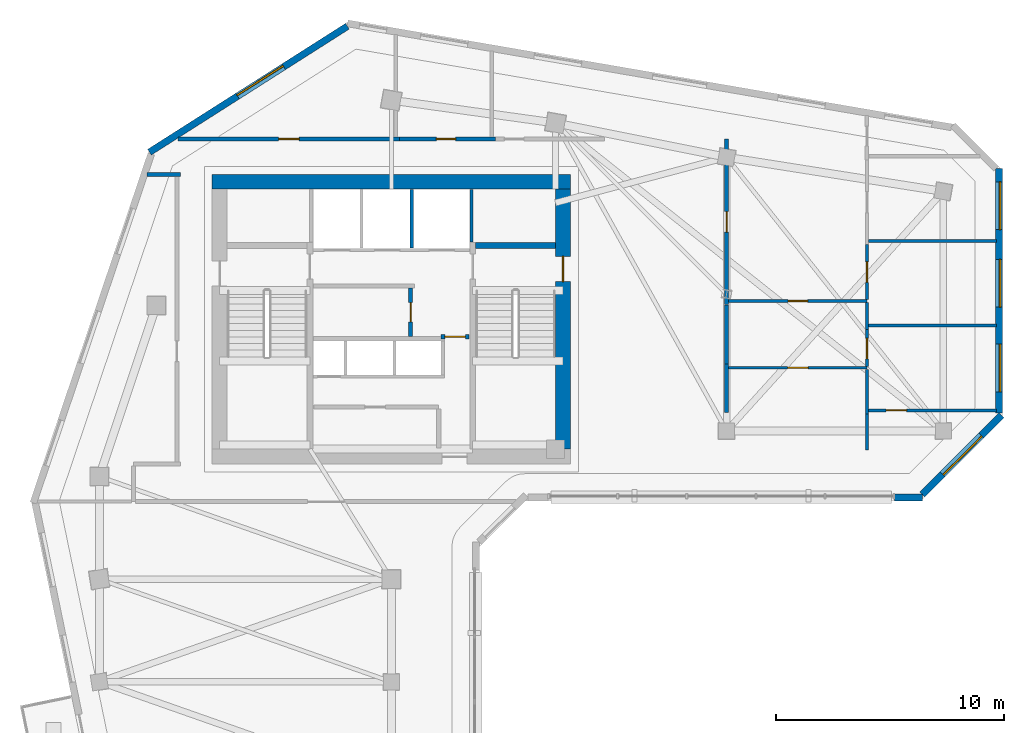
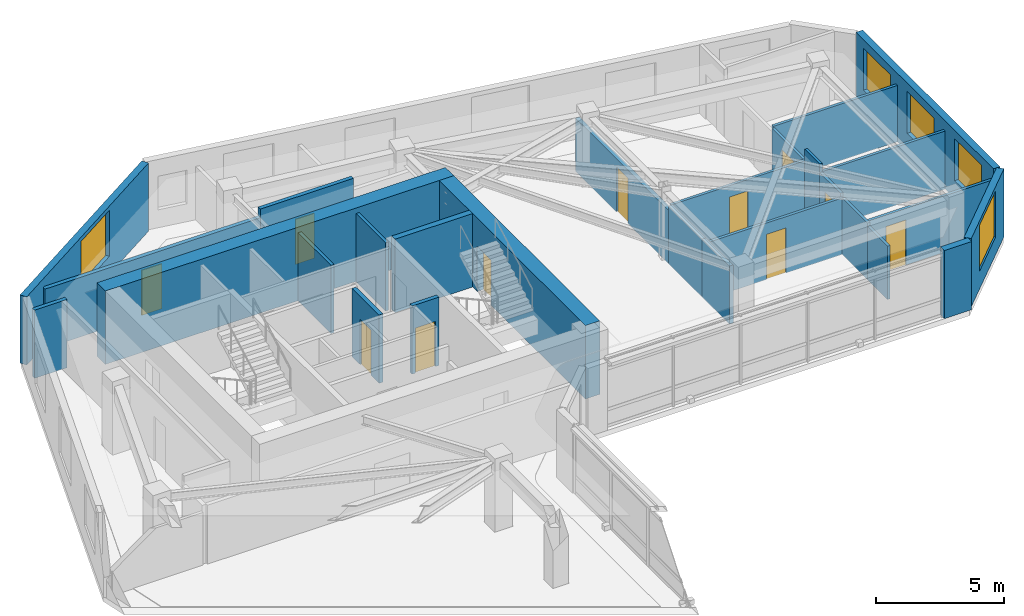
# One storey, part 6 of 10: 27 walls, 11 doors, 5 windows, 16 openings.
"""IFC4 building model written with IfcOpenShell, lengths in metres."""

from ifc_helpers import new_model, si_unit, direction, frame, frame_2d, origin, place, context, subcontext, project, spatial, rectangle, extrude, source, transform, mapped, material, layer, layer_set, type_object, element, fill, save


model = new_model("IFC4")

# Units and contexts
model_context = context("Model", 3, precision=1e-05, world=origin(), true_north=direction((0.0, 1.0)))
body_context = subcontext(model_context, "Body", "Model", "MODEL_VIEW")
ifc_project = project(units=[si_unit("LENGTHUNIT", "METRE"), si_unit("AREAUNIT", "SQUARE_METRE"), si_unit("VOLUMEUNIT", "CUBIC_METRE"), si_unit("PLANEANGLEUNIT", "RADIAN"), si_unit("MASSUNIT", "GRAM", prefix="KILO")], contexts=[model_context])

# Site, building, storey
site_placement = place(None, origin())
site = spatial("IfcSite", under=ifc_project, at=site_placement, CompositionType="ELEMENT")
building_placement = place(site_placement, origin())
building = spatial("IfcBuilding", under=site, at=building_placement, Name="Calvemar Wedge Station Tower", CompositionType="ELEMENT")
storey_placement = place(building_placement, frame((0.0, 0.0, 204.39990234375)))
storey = spatial("IfcBuildingStorey", under=building, at=storey_placement, Name="L51", CompositionType="ELEMENT", Elevation=204.39990234375)

# Walls
ifc_material_1 = material(Name="Concrete C50", Category="concrete")
ifc_layer_1 = layer(ifc_material_1, 0.260009765625)
ifc_layer_set_1 = layer_set([ifc_layer_1], Name="Concrete C50")
wall_type_1 = type_object("IfcWallType", Name="SW-CORE-260", PredefinedType="SHEAR", material=ifc_layer_set_1)
wall_1_placement = place(storey_placement, frame((27.5, 43.1298828125, 0.0), z_axis=(0.0, 0.0, 1.0), x_axis=(1.0, 0.0, 0.0)))
element("IfcWall", 1, at=wall_1_placement, inside=storey, type_object=wall_type_1, Name="Storey L51 Core Shear Wall STC2-N", PredefinedType="SHEAR", context=body_context, shape_type="SweptSolid", body=[
    extrude(rectangle(XDim=3.5, YDim=0.260009765625, at=frame_2d((1.75, 0.0))), origin(), (0.0, 0.0, 1.0), 3.5),
])
ifc_material_2 = material(Name="Concrete C60", Category="concrete")
ifc_layer_2 = layer(ifc_material_2, 0.64990234375)
ifc_layer_set_2 = layer_set([ifc_layer_2], Name="Concrete C60")
wall_type_2 = type_object("IfcWallType", Name="SW-CORE-650", PredefinedType="SHEAR", material=ifc_layer_set_2)
wall_2_placement = place(storey_placement, frame((15.949951171875, 45.925048828125, 0.0), z_axis=(0.0, 0.0, 1.0), x_axis=(1.0, 0.0, 0.0)))
element("IfcWall", 2, at=wall_2_placement, inside=storey, type_object=wall_type_2, Name="Storey L51 Core Shear Wall N", PredefinedType="SHEAR", context=body_context, shape_type="SweptSolid", body=[
    extrude(rectangle(XDim=15.699951171875, YDim=0.64990234375, at=frame_2d((7.85009765625, 0.0))), origin(), (0.0, 0.0, 1.0), 3.5),
])

# Wall, opening, door
wall_3_placement = place(storey_placement, frame((31.324951171875, 34.199951171875, 0.0), z_axis=(0.0, 0.0, 1.0), x_axis=(0.0, 1.0, 0.0)))
wall_3 = element("IfcWall", 3, at=wall_3_placement, inside=storey, type_object=wall_type_2, Name="Storey L51 Core Shear Wall E", PredefinedType="SHEAR", context=body_context, shape_type="SweptSolid", body=[
    extrude(rectangle(XDim=11.400146484375, YDim=0.64990234375, at=frame_2d((5.7001953125, 0.0))), origin(), (0.0, 0.0, 1.0), 3.5),
])
shared_shape_1 = source(origin(), body_context, "Body", "SweptSolid", [
    extrude(rectangle(XDim=1.10009765625, YDim=2.14990234375, at=frame_2d((0.550048828125, 1.074951171875))), frame((0.0, 0.3349609375, 0.0), z_axis=(0.0, -1.0, 0.0), x_axis=(1.0, 0.0, 0.0)), (0.0, 0.0, 1.0), 0.669921875),
])
opening_1_placement = place(wall_3_placement, frame((7.35009765625, 0.0, 0.0)))
opening_1 = element("IfcOpeningElement", 4, at=opening_1_placement, cuts=wall_3, Name="Opening FD-90", PredefinedType="OPENING", context=body_context, shape_type="MappedRepresentation", body=[
    mapped(shared_shape_1, transform((0.0, 0.0, 0.0), scale=1.0)),
])
ifc_material_3 = material(Name="Galvanized fire-rated steel door leaf P-90", Category="steel")
door_type_1 = type_object("IfcDoorType", Name="DR-FD90-1100", OperationType="NOTDEFINED", PredefinedType="DOOR", material=ifc_material_3)
shared_shape_2 = source(origin(), body_context, "Body", "SweptSolid", [
    extrude(rectangle(XDim=1.10009765625, YDim=2.14990234375, at=frame_2d((0.550048828125, 1.074951171875))), frame((0.0, 0.02490234375, 0.0), z_axis=(0.0, -1.0, 0.0), x_axis=(1.0, 0.0, 0.0)), (0.0, 0.0, 1.0), 0.050048828125),
])
door_1_placement = place(opening_1_placement, origin())
door_1 = element("IfcDoor", 5, at=door_1_placement, inside=storey, type_object=door_type_1, Name="L51 East Corridor to Exit Stair ST-C2 Door", OperationType="SINGLE_SWING_LEFT", OverallHeight=2.14990234375, OverallWidth=1.10009765625, PredefinedType="DOOR", context=body_context, shape_type="MappedRepresentation", body=[
    mapped(shared_shape_2, transform((0.0, 0.0, 0.0), scale=1.0)),
])
fill(opening_1, door_1)

ifc_material_4 = material(Name="Double-stud fire-rated corridor partition")
ifc_layer_3 = layer(ifc_material_4, 0.179931640625)
ifc_layer_set_3 = layer_set([ifc_layer_3], Name="Double-stud fire-rated corridor partition")
wall_type_3 = type_object("IfcWallType", Name="W-CORR-180", PredefinedType="PARTITIONING", material=ifc_layer_set_3)
wall_4_placement = place(storey_placement, frame((24.64990234375, 41.256103515625, 0.0), z_axis=(0.0, 0.0, 1.0), x_axis=(0.0, -1.0, 0.0)))
wall_4 = element("IfcWall", 6, at=wall_4_placement, inside=storey, type_object=wall_type_3, Name="Storey L51 Interior Partition WL-L51-002", PredefinedType="PARTITIONING", context=body_context, shape_type="SweptSolid", body=[
    extrude(rectangle(XDim=2.106201171875, YDim=0.179931640625, at=frame_2d((1.05322265625, 0.0))), origin(), (0.0, 0.0, 1.0), 3.25),
])
shared_shape_3 = source(origin(), body_context, "Body", "SweptSolid", [
    extrude(rectangle(XDim=0.85009765625, YDim=2.14990234375, at=frame_2d((0.425048828125, 1.074951171875))), frame((0.0, 0.10009765625, 0.0), z_axis=(0.0, -1.0, 0.0), x_axis=(1.0, 0.0, 0.0)), (0.0, 0.0, 1.0), 0.199951171875),
])
opening_2_placement = place(wall_4_placement, frame((0.6279296875, 0.0, 0.0)))
opening_2 = element("IfcOpeningElement", 7, at=opening_2_placement, cuts=wall_4, Name="Opening FD-60S", PredefinedType="OPENING", context=body_context, shape_type="MappedRepresentation", body=[
    mapped(shared_shape_3, transform((0.0, 0.0, 0.0), scale=1.0)),
])
ifc_material_5 = material(Name="Fire-rated steel and hardwood service door EI 60", Category="steel")
door_type_2 = type_object("IfcDoorType", Name="DR-CORE-FD60-850", OperationType="NOTDEFINED", PredefinedType="DOOR", material=ifc_material_5)
shared_shape_4 = source(origin(), body_context, "Body", "SweptSolid", [
    extrude(rectangle(XDim=0.85009765625, YDim=2.14990234375, at=frame_2d((0.425048828125, 1.074951171875))), frame((0.0, 0.02490234375, 0.0), z_axis=(0.0, -1.0, 0.0), x_axis=(1.0, 0.0, 0.0)), (0.0, 0.0, 1.0), 0.050048828125),
])
door_2_placement = place(opening_2_placement, origin())
door_2 = element("IfcDoor", 8, at=door_2_placement, inside=storey, type_object=door_type_2, Name="L51 Cleaner and Linen Store Door", OperationType="SINGLE_SWING_LEFT", OverallHeight=2.14990234375, OverallWidth=0.85009765625, PredefinedType="DOOR", context=body_context, shape_type="MappedRepresentation", body=[
    mapped(shared_shape_4, transform((0.0, 0.0, 0.0), scale=1.0)),
])
fill(opening_2, door_2)

wall_5_placement = place(storey_placement, frame((27.199951171875, 39.1298828125, 0.0), z_axis=(0.0, 0.0, 1.0), x_axis=(-1.0, 0.0, 0.0)))
wall_5 = element("IfcWall", 9, at=wall_5_placement, inside=storey, type_object=wall_type_3, Name="Storey L51 Interior Partition WL-L51-003", PredefinedType="PARTITIONING", context=body_context, shape_type="SweptSolid", body=[
    extrude(rectangle(XDim=1.2099609375, YDim=0.179931640625, at=frame_2d((0.60498046875, 0.0))), origin(), (0.0, 0.0, 1.0), 3.25),
])
shared_shape_5 = source(origin(), body_context, "Body", "SweptSolid", [
    extrude(rectangle(XDim=0.89990234375, YDim=2.14990234375, at=frame_2d((0.449951171875, 1.074951171875))), frame((0.0, 0.10009765625, 0.0), z_axis=(0.0, -1.0, 0.0), x_axis=(1.0, 0.0, 0.0)), (0.0, 0.0, 1.0), 0.199951171875),
])
opening_3_placement = place(wall_5_placement, frame((0.155029296875, 0.0, 0.0)))
opening_3 = element("IfcOpeningElement", 10, at=opening_3_placement, cuts=wall_5, Name="Opening FD-60", PredefinedType="OPENING", context=body_context, shape_type="MappedRepresentation", body=[
    mapped(shared_shape_5, transform((0.0, 0.0, 0.0), scale=1.0)),
])
ifc_material_6 = material(Name="Fire-rated acoustic timber-core entrance door EI 60", Category="wood")
door_type_3 = type_object("IfcDoorType", Name="DR-FD60-900", OperationType="NOTDEFINED", PredefinedType="DOOR", material=ifc_material_6)
shared_shape_6 = source(origin(), body_context, "Body", "SweptSolid", [
    extrude(rectangle(XDim=0.89990234375, YDim=2.14990234375, at=frame_2d((0.449951171875, 1.074951171875))), frame((0.0, 0.02490234375, 0.0), z_axis=(0.0, -1.0, 0.0), x_axis=(1.0, 0.0, 0.0)), (0.0, 0.0, 1.0), 0.050048828125),
])
door_3_placement = place(opening_3_placement, origin())
door_3 = element("IfcDoor", 11, at=door_3_placement, inside=storey, type_object=door_type_3, Name="L51 Core Service Lobby Door", OperationType="SINGLE_SWING_RIGHT", OverallHeight=2.14990234375, OverallWidth=0.89990234375, PredefinedType="DOOR", context=body_context, shape_type="MappedRepresentation", body=[
    mapped(shared_shape_6, transform((0.0, 0.0, 0.0), scale=1.0)),
])
fill(opening_3, door_3)

# Wall
wall_6_placement = place(storey_placement, frame((14.56005859375, 46.25, 0.0), z_axis=(0.0, 0.0, 1.0), x_axis=(-1.0, 0.0, 0.0)))
element("IfcWall", 12, at=wall_6_placement, inside=storey, type_object=wall_type_3, Name="Storey L51 Interior Partition WL-L51-010", PredefinedType="PARTITIONING", context=body_context, shape_type="SweptSolid", body=[
    extrude(rectangle(XDim=1.46875, YDim=0.179931640625, at=frame_2d((0.734375, 0.0))), origin(), (0.0, 0.0, 1.0), 3.25),
])

# Wall, opening, door
wall_7_placement = place(storey_placement, frame((14.45263671875, 47.800048828125, 0.0), z_axis=(0.0, 0.0, 1.0), x_axis=(1.0, 0.0, 0.0)))
wall_7 = element("IfcWall", 13, at=wall_7_placement, inside=storey, type_object=wall_type_3, Name="Storey L51 Interior Partition WL-L51-011", PredefinedType="PARTITIONING", context=body_context, shape_type="SweptSolid", body=[
    extrude(rectangle(XDim=9.707275390625, YDim=0.179931640625, at=frame_2d((4.853515625, 0.0))), origin(), (0.0, 0.0, 1.0), 2.835205078125),
])
opening_4_placement = place(wall_7_placement, frame((4.40380859375, 0.0, 0.0)))
opening_4 = element("IfcOpeningElement", 14, at=opening_4_placement, cuts=wall_7, Name="Opening D-01", PredefinedType="OPENING", context=body_context, shape_type="MappedRepresentation", body=[
    mapped(shared_shape_5, transform((0.0, 0.0, 0.0), scale=1.0)),
])
ifc_material_7 = material(Name="Architectural hardwood acoustic swing door", Category="wood")
door_type_4 = type_object("IfcDoorType", Name="DR-INT-900", OperationType="NOTDEFINED", PredefinedType="DOOR", material=ifc_material_7)
shared_shape_7 = source(origin(), body_context, "Body", "SweptSolid", [
    extrude(rectangle(XDim=0.89990234375, YDim=2.14990234375, at=frame_2d((0.449951171875, 1.074951171875))), frame((0.0, 0.02490234375, 0.0), z_axis=(0.0, -1.0, 0.0), x_axis=(1.0, 0.0, 0.0)), (0.0, 0.0, 1.0), 0.050048828125),
])
door_4_placement = place(opening_4_placement, origin())
door_4 = element("IfcDoor", 15, at=door_4_placement, inside=storey, type_object=door_type_4, Name="L51 Fitness Studio Door", OperationType="SINGLE_SWING_LEFT", OverallHeight=2.14990234375, OverallWidth=0.89990234375, PredefinedType="DOOR", context=body_context, shape_type="MappedRepresentation", body=[
    mapped(shared_shape_7, transform((0.0, 0.0, 0.0), scale=1.0)),
])
fill(opening_4, door_4)

wall_8_placement = place(storey_placement, frame((24.162109375, 47.800048828125, 0.0), z_axis=(0.0, 0.0, 1.0), x_axis=(1.0, 0.0, 0.0)))
wall_8 = element("IfcWall", 16, at=wall_8_placement, inside=storey, type_object=wall_type_3, Name="Storey L51 Interior Partition WL-L51-012", PredefinedType="PARTITIONING", context=body_context, shape_type="SweptSolid", body=[
    extrude(rectangle(XDim=4.197998046875, YDim=0.179931640625, at=frame_2d((2.09912109375, 0.0))), origin(), (0.0, 0.0, 1.0), 3.25),
])
opening_5_placement = place(wall_8_placement, frame((1.61328125, 0.0, 0.0)))
opening_5 = element("IfcOpeningElement", 17, at=opening_5_placement, cuts=wall_8, Name="Opening D-02", PredefinedType="OPENING", context=body_context, shape_type="MappedRepresentation", body=[
    mapped(shared_shape_3, transform((0.0, 0.0, 0.0), scale=1.0)),
])
ifc_material_8 = material(Name="Moisture-sealed bathroom hardwood swing door", Category="wood")
door_type_5 = type_object("IfcDoorType", Name="DR-WET-850", OperationType="NOTDEFINED", PredefinedType="DOOR", material=ifc_material_8)
shared_shape_8 = source(origin(), body_context, "Body", "SweptSolid", [
    extrude(rectangle(XDim=0.85009765625, YDim=2.14990234375, at=frame_2d((0.425048828125, 1.074951171875))), frame((0.0, 0.02490234375, 0.0), z_axis=(0.0, -1.0, 0.0), x_axis=(1.0, 0.0, 0.0)), (0.0, 0.0, 1.0), 0.050048828125),
])
door_5_placement = place(opening_5_placement, origin())
door_5 = element("IfcDoor", 18, at=door_5_placement, inside=storey, type_object=door_type_5, Name="L51 Accessible WC Door", OperationType="SINGLE_SWING_RIGHT", OverallHeight=2.14990234375, OverallWidth=0.85009765625, PredefinedType="DOOR", context=body_context, shape_type="MappedRepresentation", body=[
    mapped(shared_shape_8, transform((0.0, 0.0, 0.0), scale=1.0)),
])
fill(opening_5, door_5)

# Wall
wall_9_placement = place(storey_placement, frame((38.5, 37.927978515625, 0.0), z_axis=(0.0, 0.0, 1.0), x_axis=(0.0, -1.0, 0.0)))
element("IfcWall", 19, at=wall_9_placement, inside=storey, type_object=wall_type_3, Name="Storey L51 Interior Partition WL-L51-017", PredefinedType="PARTITIONING", context=body_context, shape_type="SweptSolid", body=[
    extrude(rectangle(XDim=2.1279296875, YDim=0.179931640625, at=frame_2d((1.06396484375, 0.0))), origin(), (0.0, 0.0, 1.0), 2.76611328125),
])

# Wall, opening, door
wall_10_placement = place(storey_placement, frame((38.5, 47.800048828125, 0.0), z_axis=(0.0, 0.0, 1.0), x_axis=(0.0, -1.0, 0.0)))
wall_10 = element("IfcWall", 20, at=wall_10_placement, inside=storey, type_object=wall_type_3, Name="Storey L51 Interior Partition WL-L51-018", PredefinedType="PARTITIONING", context=body_context, shape_type="SweptSolid", body=[
    extrude(rectangle(XDim=7.26708984375, YDim=0.179931640625, at=frame_2d((3.633544921875, 0.0))), origin(), (0.0, 0.0, 1.0), 2.5419921875),
])
opening_6_placement = place(wall_10_placement, frame((3.18359375, 0.0, 0.0)))
opening_6 = element("IfcOpeningElement", 21, at=opening_6_placement, cuts=wall_10, Name="Opening FD-60", PredefinedType="OPENING", context=body_context, shape_type="MappedRepresentation", body=[
    mapped(shared_shape_5, transform((0.0, 0.0, 0.0), scale=1.0)),
])
door_6_placement = place(opening_6_placement, origin())
door_6 = element("IfcDoor", 22, at=door_6_placement, inside=storey, type_object=door_type_3, Name="L51 Living Dining Door", OperationType="SINGLE_SWING_LEFT", OverallHeight=2.14990234375, OverallWidth=0.89990234375, PredefinedType="DOOR", context=body_context, shape_type="MappedRepresentation", body=[
    mapped(shared_shape_6, transform((0.0, 0.0, 0.0), scale=1.0)),
])
fill(opening_6, door_6)

# Walls
wall_11_placement = place(storey_placement, frame((38.5, 40.531005859375, 0.0), z_axis=(0.0, 0.0, 1.0), x_axis=(0.0, -1.0, 0.0)))
element("IfcWall", 23, at=wall_11_placement, inside=storey, type_object=wall_type_3, Name="Storey L51 Interior Partition WL-L51-019", PredefinedType="PARTITIONING", context=body_context, shape_type="SweptSolid", body=[
    extrude(rectangle(XDim=2.60107421875, YDim=0.179931640625, at=frame_2d((1.300537109375, 0.0))), origin(), (0.0, 0.0, 1.0), 2.76611328125),
])
ifc_material_9 = material(Name="Precast concrete C45", Category="concrete")
ifc_layer_4 = layer(ifc_material_9, 0.300048828125)
ifc_layer_set_4 = layer_set([ifc_layer_4], Name="Precast concrete C45")
wall_type_4 = type_object("IfcWallType", Name="W-EXT-GFRC-300", PredefinedType="SOLIDWALL", material=ifc_layer_set_4)
wall_12_placement = place(storey_placement, frame((45.8603515625, 32.073974609375, 0.0), z_axis=(0.0, 0.0, 1.0), x_axis=(1.0, 0.0, 0.0)))
element("IfcWall", 24, at=wall_12_placement, inside=storey, type_object=wall_type_4, Name="Storey L51 Bronze GFRC Corner Pier 6B", PredefinedType="SOLIDWALL", context=body_context, shape_type="SweptSolid", body=[
    extrude(rectangle(XDim=1.2275390625, YDim=0.300048828125, at=frame_2d((0.61376953125, 0.0))), origin(), (0.0, 0.0, 1.0), 3.25),
])

# Wall, opening, window
wall_13_placement = place(storey_placement, frame((47.075927734375, 32.2119140625, 0.0), z_axis=(0.0, 0.0, 1.0), x_axis=(0.707106781187, 0.707106781187, 0.0)))
wall_13 = element("IfcWall", 25, at=wall_13_placement, inside=storey, type_object=wall_type_4, Name="Storey L51 Bronze GFRC Exterior Wall 7", PredefinedType="SOLIDWALL", context=body_context, shape_type="SweptSolid", body=[
    extrude(rectangle(XDim=4.921875, YDim=0.300048828125, at=frame_2d((2.4609375, 0.0))), origin(), (0.0, 0.0, 1.0), 3.25),
])
shared_shape_9 = source(origin(), body_context, "Body", "SweptSolid", [
    extrude(rectangle(XDim=2.39990234375, YDim=2.199951171875, at=frame_2d((1.199951171875, 1.10009765625))), frame((0.0, 0.16015625, 0.0), z_axis=(0.0, -1.0, 0.0), x_axis=(1.0, 0.0, 0.0)), (0.0, 0.0, 1.0), 0.320068359375),
])
opening_7_placement = place(wall_13_placement, frame((1.260986328125, 0.0, 0.85009765625)))
opening_7 = element("IfcOpeningElement", 26, at=opening_7_placement, cuts=wall_13, Name="Opening W1", PredefinedType="OPENING", context=body_context, shape_type="MappedRepresentation", body=[
    mapped(shared_shape_9, transform((0.0, 0.0, 0.0), scale=1.0)),
])
ifc_material_10 = material(Name="Low-E laminated insulated glass", Category="glass")
window_type_1 = type_object("IfcWindowType", Name="WIN-EXT-1", PartitioningType="SINGLE_PANEL", PredefinedType="WINDOW", material=ifc_material_10)
shared_shape_10 = source(origin(), body_context, "Body", "SweptSolid", [
    extrude(rectangle(XDim=2.39990234375, YDim=2.199951171875, at=frame_2d((1.199951171875, 1.10009765625))), frame((0.0, -0.014892578125, 0.0), z_axis=(0.0, -1.0, 0.0), x_axis=(1.0, 0.0, 0.0)), (0.0, 0.0, 1.0), 0.06005859375),
])
window_1_placement = place(opening_7_placement, origin())
window_1 = element("IfcWindow", 27, at=window_1_placement, inside=storey, type_object=window_type_1, Name="Storey L51 Recessed Window 7.1", OverallHeight=2.199951171875, OverallWidth=2.39990234375, PartitioningType="SINGLE_PANEL", PredefinedType="WINDOW", context=body_context, shape_type="MappedRepresentation", body=[
    mapped(shared_shape_10, transform((0.0, 0.0, 0.0), scale=1.0)),
])
fill(opening_7, window_1)

# Wall, openings, windows
wall_14_placement = place(storey_placement, frame((50.449951171875, 35.78125, 0.0), z_axis=(0.0, 0.0, 1.0), x_axis=(0.0, 1.0, 0.0)))
wall_14 = element("IfcWall", 28, at=wall_14_placement, inside=storey, type_object=wall_type_4, Name="Storey L51 Bronze GFRC Exterior Wall 8", PredefinedType="SOLIDWALL", context=body_context, shape_type="SweptSolid", body=[
    extrude(rectangle(XDim=10.730712890625, YDim=0.300048828125, at=frame_2d((5.365234375, 0.0))), origin(), (0.0, 0.0, 1.0), 3.25),
])
shared_shape_11 = source(origin(), body_context, "Body", "SweptSolid", [
    extrude(rectangle(XDim=2.10009765625, YDim=2.0, at=frame_2d((1.050048828125, 1.0))), frame((0.0, 0.16015625, 0.0), z_axis=(0.0, -1.0, 0.0), x_axis=(1.0, 0.0, 0.0)), (0.0, 0.0, 1.0), 0.320068359375),
])
opening_8_placement = place(wall_14_placement, frame((0.927978515625, 0.0, 0.85009765625)))
opening_8 = element("IfcOpeningElement", 29, at=opening_8_placement, cuts=wall_14, Name="Opening W4", PredefinedType="OPENING", context=body_context, shape_type="MappedRepresentation", body=[
    mapped(shared_shape_11, transform((0.0, 0.0, 0.0), scale=1.0)),
])
opening_9_placement = place(wall_14_placement, frame((4.64111328125, 0.0, 0.85009765625)))
opening_9 = element("IfcOpeningElement", 30, at=opening_9_placement, cuts=wall_14, Name="Opening W4", PredefinedType="OPENING", context=body_context, shape_type="MappedRepresentation", body=[
    mapped(shared_shape_11, transform((0.0, 0.0, 0.0), scale=1.0)),
])
opening_10_placement = place(wall_14_placement, frame((8.0390625, 0.0, 0.85009765625)))
opening_10 = element("IfcOpeningElement", 31, at=opening_10_placement, cuts=wall_14, Name="Opening W4", PredefinedType="OPENING", context=body_context, shape_type="MappedRepresentation", body=[
    mapped(shared_shape_11, transform((0.0, 0.0, 0.0), scale=1.0)),
])
window_type_2 = type_object("IfcWindowType", Name="WIN-EXT-4", PartitioningType="SINGLE_PANEL", PredefinedType="WINDOW", material=ifc_material_10)
shared_shape_12 = source(origin(), body_context, "Body", "SweptSolid", [
    extrude(rectangle(XDim=2.10009765625, YDim=2.0, at=frame_2d((1.050048828125, 1.0))), frame((0.0, -0.014892578125, 0.0), z_axis=(0.0, -1.0, 0.0), x_axis=(1.0, 0.0, 0.0)), (0.0, 0.0, 1.0), 0.06005859375),
])
window_2_placement = place(opening_8_placement, origin())
window_2 = element("IfcWindow", 32, at=window_2_placement, inside=storey, type_object=window_type_2, Name="Storey L51 Recessed Window 8.1", OverallHeight=2.0, OverallWidth=2.10009765625, PartitioningType="SINGLE_PANEL", PredefinedType="WINDOW", context=body_context, shape_type="MappedRepresentation", body=[
    mapped(shared_shape_12, transform((0.0, 0.0, 0.0), scale=1.0)),
])
fill(opening_8, window_2)
window_3_placement = place(opening_9_placement, origin())
window_3 = element("IfcWindow", 33, at=window_3_placement, inside=storey, type_object=window_type_2, Name="Storey L51 Recessed Window 8.2", OverallHeight=2.0, OverallWidth=2.10009765625, PartitioningType="SINGLE_PANEL", PredefinedType="WINDOW", context=body_context, shape_type="MappedRepresentation", body=[
    mapped(shared_shape_12, transform((0.0, 0.0, 0.0), scale=1.0)),
])
fill(opening_9, window_3)
window_4_placement = place(opening_10_placement, origin())
window_4 = element("IfcWindow", 34, at=window_4_placement, inside=storey, type_object=window_type_2, Name="Storey L51 Recessed Window 8.3", OverallHeight=2.0, OverallWidth=2.10009765625, PartitioningType="SINGLE_PANEL", PredefinedType="WINDOW", context=body_context, shape_type="MappedRepresentation", body=[
    mapped(shared_shape_12, transform((0.0, 0.0, 0.0), scale=1.0)),
])
fill(opening_10, window_4)

# Wall, opening, window
wall_15_placement = place(storey_placement, frame((21.87451171875, 52.7421875, 0.0), z_axis=(0.0, 0.0, 1.0), x_axis=(-0.843666375448, -0.536867811419, 0.0)))
wall_15 = element("IfcWall", 35, at=wall_15_placement, inside=storey, type_object=wall_type_4, Name="Storey L51 Bronze GFRC Exterior Wall 11", PredefinedType="SOLIDWALL", context=body_context, shape_type="SweptSolid", body=[
    extrude(rectangle(XDim=10.28369140625, YDim=0.300048828125, at=frame_2d((5.141845703125, 0.0))), origin(), (0.0, 0.0, 1.0), 3.25),
])
opening_11_placement = place(wall_15_placement, frame((3.306884765625, 0.0, 0.85009765625)))
opening_11 = element("IfcOpeningElement", 36, at=opening_11_placement, cuts=wall_15, Name="Opening W1", PredefinedType="OPENING", context=body_context, shape_type="MappedRepresentation", body=[
    mapped(shared_shape_9, transform((0.0, 0.0, 0.0), scale=1.0)),
])
window_5_placement = place(opening_11_placement, origin())
window_5 = element("IfcWindow", 37, at=window_5_placement, inside=storey, type_object=window_type_1, Name="Storey L51 Recessed Window 11.1", OverallHeight=2.199951171875, OverallWidth=2.39990234375, PartitioningType="SINGLE_PANEL", PredefinedType="WINDOW", context=body_context, shape_type="MappedRepresentation", body=[
    mapped(shared_shape_10, transform((0.0, 0.0, 0.0), scale=1.0)),
])
fill(opening_11, window_5)

# Walls
ifc_material_11 = material(Name="Reinforced concrete blockwork lift shaft wall", Category="masonry")
ifc_layer_5 = layer(ifc_material_11, 0.139892578125)
ifc_layer_set_5 = layer_set([ifc_layer_5], Name="Reinforced concrete blockwork lift shaft wall")
wall_type_5 = type_object("IfcWallType", Name="W-LIFT-160", PredefinedType="SOLIDWALL", material=ifc_layer_set_5)
wall_16_placement = place(storey_placement, frame((27.31005859375, 43.280029296875, 0.0), z_axis=(0.0, 0.0, 1.0), x_axis=(0.0, 1.0, 0.0)))
element("IfcWall", 38, at=wall_16_placement, inside=storey, type_object=wall_type_5, Name="Storey L51 Firefighting Lift Shaft Enclosure Wall E", PredefinedType="SOLIDWALL", context=body_context, shape_type="SweptSolid", body=[
    extrude(rectangle(XDim=2.300048828125, YDim=0.139892578125, at=frame_2d((1.14990234375, 0.0))), origin(), (0.0, 0.0, 1.0), 3.25),
])
wall_17_placement = place(storey_placement, frame((24.699951171875, 43.02001953125, 0.0), z_axis=(0.0, 0.0, 1.0), x_axis=(0.0, 1.0, 0.0)))
element("IfcWall", 39, at=wall_17_placement, inside=storey, type_object=wall_type_5, Name="Storey L51 Firefighting Lift Shaft Enclosure Wall D2", PredefinedType="SOLIDWALL", context=body_context, shape_type="SweptSolid", body=[
    extrude(rectangle(XDim=2.56005859375, YDim=0.139892578125, at=frame_2d((1.280029296875, 0.0))), origin(), (0.0, 0.0, 1.0), 3.25),
])

# Wall, opening, door
ifc_material_12 = material(Name="Insulated acoustic gypsum stud partition")
ifc_layer_6 = layer(ifc_material_12, 0.125)
ifc_layer_set_6 = layer_set([ifc_layer_6], Name="Insulated acoustic gypsum stud partition")
wall_type_6 = type_object("IfcWallType", Name="W-PART-125", PredefinedType="PARTITIONING", material=ifc_layer_set_6)
wall_18_placement = place(storey_placement, frame((38.593994140625, 37.76806640625, 0.0), z_axis=(0.0, 0.0, 1.0), x_axis=(1.0, 0.0, 0.0)))
wall_18 = element("IfcWall", 40, at=wall_18_placement, inside=storey, type_object=wall_type_6, Name="Storey L51 Interior Partition WL-L51-020", PredefinedType="PARTITIONING", context=body_context, shape_type="SweptSolid", body=[
    extrude(rectangle(XDim=6.06005859375, YDim=0.125, at=frame_2d((3.030029296875, 0.0))), origin(), (0.0, 0.0, 1.0), 2.68798828125),
])
shared_shape_13 = source(origin(), body_context, "Body", "SweptSolid", [
    extrude(rectangle(XDim=0.89990234375, YDim=2.14990234375, at=frame_2d((0.449951171875, 1.074951171875))), frame((0.0, 0.072509765625, 0.0), z_axis=(0.0, -1.0, 0.0), x_axis=(1.0, 0.0, 0.0)), (0.0, 0.0, 1.0), 0.14501953125),
])
opening_12_placement = place(wall_18_placement, frame((2.580078125, 0.0, 0.0)))
opening_12 = element("IfcOpeningElement", 41, at=opening_12_placement, cuts=wall_18, Name="Opening D-01", PredefinedType="OPENING", context=body_context, shape_type="MappedRepresentation", body=[
    mapped(shared_shape_13, transform((0.0, 0.0, 0.0), scale=1.0)),
])
door_7_placement = place(opening_12_placement, origin())
door_7 = element("IfcDoor", 42, at=door_7_placement, inside=storey, type_object=door_type_4, Name="L51 Study Door", OperationType="SINGLE_SWING_RIGHT", OverallHeight=2.14990234375, OverallWidth=0.89990234375, PredefinedType="DOOR", context=body_context, shape_type="MappedRepresentation", body=[
    mapped(shared_shape_7, transform((0.0, 0.0, 0.0), scale=1.0)),
])
fill(opening_12, door_7)

# Walls
wall_19_placement = place(storey_placement, frame((44.654052734375, 37.701416015625, 0.0), z_axis=(0.0, 0.0, 1.0), x_axis=(0.0, -1.0, 0.0)))
element("IfcWall", 43, at=wall_19_placement, inside=storey, type_object=wall_type_6, Name="Storey L51 Interior Partition WL-L51-021", PredefinedType="PARTITIONING", context=body_context, shape_type="SweptSolid", body=[
    extrude(rectangle(XDim=1.95849609375, YDim=0.125, at=frame_2d((0.979248046875, 0.0))), origin(), (0.0, 0.0, 1.0), 2.68798828125),
])
wall_20_placement = place(storey_placement, frame((44.654052734375, 35.740966796875, 0.0), z_axis=(0.0, 0.0, 1.0), x_axis=(0.0, -1.0, 0.0)))
element("IfcWall", 44, at=wall_20_placement, inside=storey, type_object=wall_type_6, Name="Storey L51 Interior Partition WL-L51-022", PredefinedType="PARTITIONING", context=body_context, shape_type="SweptSolid", body=[
    extrude(rectangle(XDim=1.572998046875, YDim=0.125, at=frame_2d((0.78662109375, 0.0))), origin(), (0.0, 0.0, 1.0), 2.5419921875),
])

# Wall, opening, door
wall_21_placement = place(storey_placement, frame((44.654052734375, 40.693115234375, 0.0), z_axis=(0.0, 0.0, 1.0), x_axis=(-1.0, 0.0, 0.0)))
wall_21 = element("IfcWall", 45, at=wall_21_placement, inside=storey, type_object=wall_type_6, Name="Storey L51 Interior Partition WL-L51-023", PredefinedType="PARTITIONING", context=body_context, shape_type="SweptSolid", body=[
    extrude(rectangle(XDim=6.06005859375, YDim=0.125, at=frame_2d((3.030029296875, 0.0))), origin(), (0.0, 0.0, 1.0), 2.68798828125),
])
shared_shape_14 = source(origin(), body_context, "Body", "SweptSolid", [
    extrude(rectangle(XDim=0.85009765625, YDim=2.14990234375, at=frame_2d((0.425048828125, 1.074951171875))), frame((0.0, 0.072509765625, 0.0), z_axis=(0.0, -1.0, 0.0), x_axis=(1.0, 0.0, 0.0)), (0.0, 0.0, 1.0), 0.14501953125),
])
opening_13_placement = place(wall_21_placement, frame((2.60498046875, 0.0, 0.0)))
opening_13 = element("IfcOpeningElement", 46, at=opening_13_placement, cuts=wall_21, Name="Opening D-02", PredefinedType="OPENING", context=body_context, shape_type="MappedRepresentation", body=[
    mapped(shared_shape_14, transform((0.0, 0.0, 0.0), scale=1.0)),
])
door_8_placement = place(opening_13_placement, origin())
door_8 = element("IfcDoor", 47, at=door_8_placement, inside=storey, type_object=door_type_5, Name="L51 Kitchen Door", OperationType="SINGLE_SWING_RIGHT", OverallHeight=2.14990234375, OverallWidth=0.85009765625, PredefinedType="DOOR", context=body_context, shape_type="MappedRepresentation", body=[
    mapped(shared_shape_8, transform((0.0, 0.0, 0.0), scale=1.0)),
])
fill(opening_13, door_8)

wall_22_placement = place(storey_placement, frame((44.654052734375, 43.1669921875, 0.0), z_axis=(0.0, 0.0, 1.0), x_axis=(0.0, -1.0, 0.0)))
wall_22 = element("IfcWall", 48, at=wall_22_placement, inside=storey, type_object=wall_type_6, Name="Storey L51 Interior Partition WL-L51-026", PredefinedType="PARTITIONING", context=body_context, shape_type="SweptSolid", body=[
    extrude(rectangle(XDim=2.407470703125, YDim=0.125, at=frame_2d((1.20361328125, 0.0))), origin(), (0.0, 0.0, 1.0), 2.68798828125),
])
opening_14_placement = place(wall_22_placement, frame((0.753662109375, 0.0, 0.0)))
opening_14 = element("IfcOpeningElement", 49, at=opening_14_placement, cuts=wall_22, Name="Opening D-01", PredefinedType="OPENING", context=body_context, shape_type="MappedRepresentation", body=[
    mapped(shared_shape_13, transform((0.0, 0.0, 0.0), scale=1.0)),
])
door_9_placement = place(opening_14_placement, origin())
door_9 = element("IfcDoor", 50, at=door_9_placement, inside=storey, type_object=door_type_4, Name="L51 Bedroom Door", OperationType="SINGLE_SWING_LEFT", OverallHeight=2.14990234375, OverallWidth=0.89990234375, PredefinedType="DOOR", context=body_context, shape_type="MappedRepresentation", body=[
    mapped(shared_shape_7, transform((0.0, 0.0, 0.0), scale=1.0)),
])
fill(opening_14, door_9)

# Wall
wall_23_placement = place(storey_placement, frame((44.654052734375, 40.62646484375, 0.0), z_axis=(0.0, 0.0, 1.0), x_axis=(0.0, -1.0, 0.0)))
element("IfcWall", 51, at=wall_23_placement, inside=storey, type_object=wall_type_6, Name="Storey L51 Interior Partition WL-L51-027", PredefinedType="PARTITIONING", context=body_context, shape_type="SweptSolid", body=[
    extrude(rectangle(XDim=1.17041015625, YDim=0.125, at=frame_2d((0.585205078125, 0.0))), origin(), (0.0, 0.0, 1.0), 3.25),
])

# Wall, opening, door
wall_24_placement = place(storey_placement, frame((44.654052734375, 39.4541015625, 0.0), z_axis=(0.0, 0.0, 1.0), x_axis=(0.0, -1.0, 0.0)))
wall_24 = element("IfcWall", 52, at=wall_24_placement, inside=storey, type_object=wall_type_6, Name="Storey L51 Interior Partition WL-L51-028", PredefinedType="PARTITIONING", context=body_context, shape_type="SweptSolid", body=[
    extrude(rectangle(XDim=1.61962890625, YDim=0.125, at=frame_2d((0.809814453125, 0.0))), origin(), (0.0, 0.0, 1.0), 2.835205078125),
])
opening_15_placement = place(wall_24_placement, frame((0.399658203125, 0.0, 0.0)))
opening_15 = element("IfcOpeningElement", 53, at=opening_15_placement, cuts=wall_24, Name="Opening D-01", PredefinedType="OPENING", context=body_context, shape_type="MappedRepresentation", body=[
    mapped(shared_shape_13, transform((0.0, 0.0, 0.0), scale=1.0)),
])
door_10_placement = place(opening_15_placement, origin())
door_10 = element("IfcDoor", 54, at=door_10_placement, inside=storey, type_object=door_type_4, Name="L51 Bedroom Door", OperationType="SINGLE_SWING_RIGHT", OverallHeight=2.14990234375, OverallWidth=0.89990234375, PredefinedType="DOOR", context=body_context, shape_type="MappedRepresentation", body=[
    mapped(shared_shape_7, transform((0.0, 0.0, 0.0), scale=1.0)),
])
fill(opening_15, door_10)

# Walls
wall_25_placement = place(storey_placement, frame((50.3349609375, 43.3291015625, 0.0), z_axis=(0.0, 0.0, 1.0), x_axis=(-1.0, 0.0, 0.0)))
element("IfcWall", 55, at=wall_25_placement, inside=storey, type_object=wall_type_6, Name="Storey L51 Interior Partition WL-L51-030", PredefinedType="PARTITIONING", context=body_context, shape_type="SweptSolid", body=[
    extrude(rectangle(XDim=5.614501953125, YDim=0.125, at=frame_2d((2.80712890625, 0.0))), origin(), (0.0, 0.0, 1.0), 2.68798828125),
])
wall_26_placement = place(storey_placement, frame((50.3349609375, 39.615966796875, 0.0), z_axis=(0.0, 0.0, 1.0), x_axis=(-1.0, 0.0, 0.0)))
element("IfcWall", 56, at=wall_26_placement, inside=storey, type_object=wall_type_6, Name="Storey L51 Interior Partition WL-L51-031", PredefinedType="PARTITIONING", context=body_context, shape_type="SweptSolid", body=[
    extrude(rectangle(XDim=5.614501953125, YDim=0.125, at=frame_2d((2.80712890625, 0.0))), origin(), (0.0, 0.0, 1.0), 2.76611328125),
])

# Wall, opening, door
wall_27_placement = place(storey_placement, frame((50.3349609375, 35.903076171875, 0.0), z_axis=(0.0, 0.0, 1.0), x_axis=(-1.0, 0.0, 0.0)))
wall_27 = element("IfcWall", 57, at=wall_27_placement, inside=storey, type_object=wall_type_6, Name="Storey L51 Interior Partition WL-L51-032", PredefinedType="PARTITIONING", context=body_context, shape_type="SweptSolid", body=[
    extrude(rectangle(XDim=5.614501953125, YDim=0.125, at=frame_2d((2.80712890625, 0.0))), origin(), (0.0, 0.0, 1.0), 2.68798828125),
])
opening_16_placement = place(wall_27_placement, frame((3.94580078125, 0.0, 0.0)))
opening_16 = element("IfcOpeningElement", 58, at=opening_16_placement, cuts=wall_27, Name="Opening D-01", PredefinedType="OPENING", context=body_context, shape_type="MappedRepresentation", body=[
    mapped(shared_shape_13, transform((0.0, 0.0, 0.0), scale=1.0)),
])
door_11_placement = place(opening_16_placement, origin())
door_11 = element("IfcDoor", 59, at=door_11_placement, inside=storey, type_object=door_type_4, Name="L51 Master Bedroom Door", OperationType="SINGLE_SWING_LEFT", OverallHeight=2.14990234375, OverallWidth=0.89990234375, PredefinedType="DOOR", context=body_context, shape_type="MappedRepresentation", body=[
    mapped(shared_shape_7, transform((0.0, 0.0, 0.0), scale=1.0)),
])
fill(opening_16, door_11)

save(model, "model.ifc")
